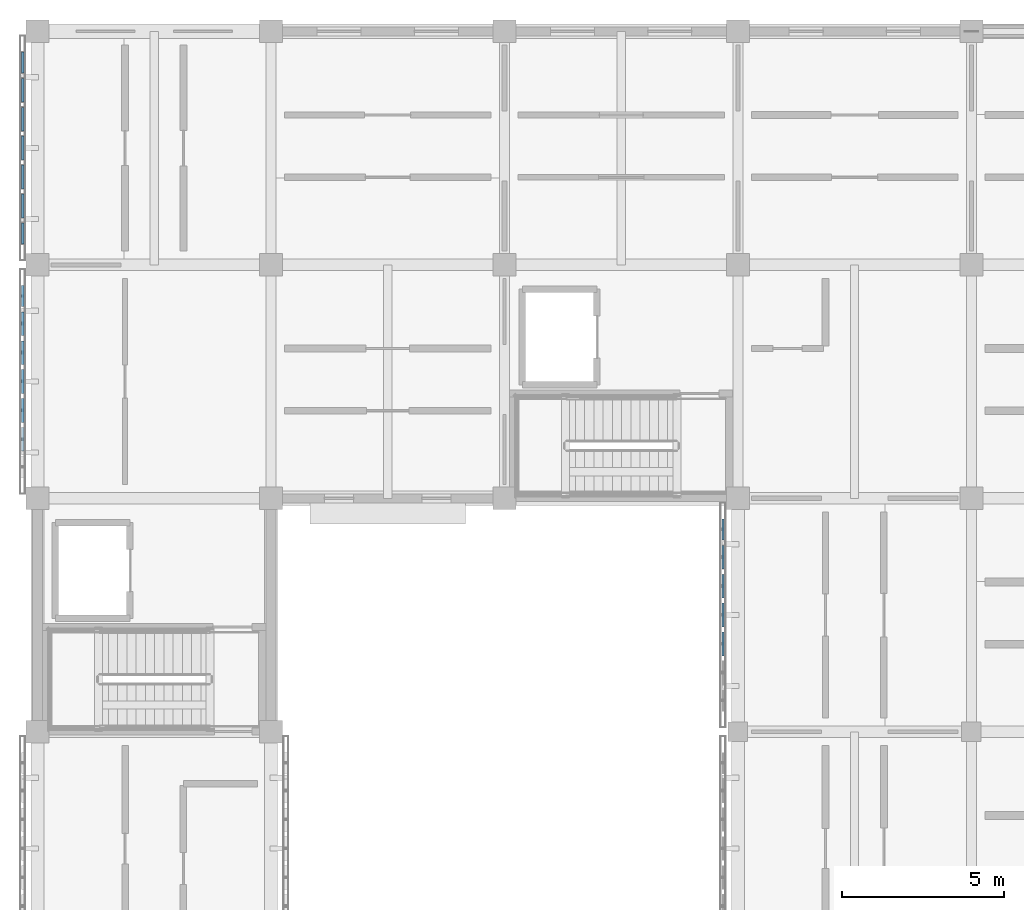
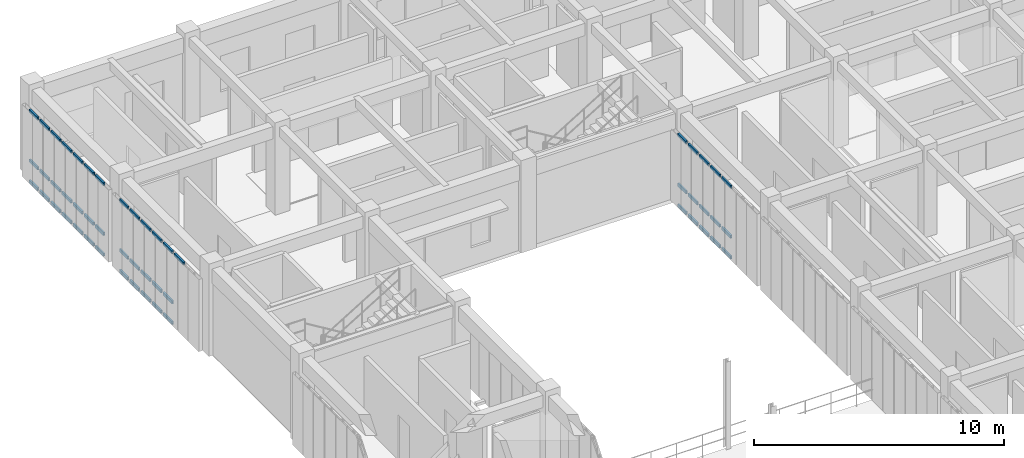
# One storey, part 82 of 171: 52 members, 3 elements without a shape of their own.
"""IFC4 building model written with IfcOpenShell, lengths in metres."""

from ifc_helpers import new_model, si_unit, direction, frame, origin, origin_2d, place, context, subcontext, project, spatial, hollow_rectangle, extrude, material, material_profile, profile_set, type_object, element, aggregate, save


model = new_model("IFC4")

# Units and contexts
model_context = context("Model", 3, precision=1e-05, world=origin(), true_north=direction((0.0, 1.0)))
body_context = subcontext(model_context, "Body", "Model", "MODEL_VIEW")
ifc_project = project(units=[si_unit("LENGTHUNIT", "METRE"), si_unit("AREAUNIT", "SQUARE_METRE"), si_unit("VOLUMEUNIT", "CUBIC_METRE"), si_unit("PLANEANGLEUNIT", "RADIAN"), si_unit("MASSUNIT", "GRAM", prefix="KILO")], contexts=[model_context])

# Site, building, storey
site_placement = place(None, origin())
site = spatial("IfcSite", under=ifc_project, at=site_placement, CompositionType="ELEMENT")
building_placement = place(site_placement, origin())
building = spatial("IfcBuilding", under=site, at=building_placement, Name="Aldebral Square Health Centre", CompositionType="ELEMENT")
storey_placement = place(building_placement, frame((0.0, 0.0, 4.5)))
storey = spatial("IfcBuildingStorey", under=building, at=storey_placement, Name="L01", CompositionType="ELEMENT", Elevation=4.5)

# Curtain wall, members
ifc_material_1 = material(Name="Aluminium and low-E solar glass", Category="aluminium")
curtain_wall_type = type_object("IfcCurtainWallType", Name="CW-FIN-SYS", PredefinedType="USERDEFINED", material=ifc_material_1)
curtain_wall_1_placement = place(storey_placement, origin())
curtain_wall_1 = element("IfcCurtainWall", 1, at=curtain_wall_1_placement, inside=storey, type_object=curtain_wall_type, Name="L01 V4 finned curtain wall L01-V4-00-14-W", ObjectType="SOLAR_CURTAIN_WALL", PredefinedType="USERDEFINED")
ifc_material_2 = material(Name="Anodised aluminium transom", Category="aluminium")
ifc_material_profile = material_profile(ifc_material_2, hollow_rectangle(XDim=0.074951171875, YDim=0.14990234375, WallThickness=0.00390625, at=origin_2d()), Name="CWT 75x150x4")
ifc_profile_set = profile_set([ifc_material_profile], Name="Anodised aluminium transom")
member_type = type_object("IfcMemberType", Name="CWT-STD", PredefinedType="USERDEFINED", material=ifc_profile_set)
member_1_placement = place(storey_placement, frame((-0.4599609375, 107.360107421875, 0.03759765625), z_axis=(0.0, -1.0, 0.0), x_axis=(1.0, 0.0, 0.0)))
member_1 = element("IfcMember", 2, at=member_1_placement, type_object=member_type, Name="CW1 transom 1.1", ObjectType="TRANSOM", PredefinedType="USERDEFINED", context=body_context, shape_type="SweptSolid", body=[
    extrude(hollow_rectangle(XDim=0.074951171875, YDim=0.14990234375, WallThickness=0.00390625, at=origin_2d()), origin(), (0.0, 0.0, 1.0), 0.651611328125),
])
member_2_placement = place(storey_placement, frame((-0.4599609375, 107.360107421875, 1.050048828125), z_axis=(0.0, -1.0, 0.0), x_axis=(1.0, 0.0, 0.0)))
member_2 = element("IfcMember", 3, at=member_2_placement, type_object=member_type, Name="CW1 transom 1.2", ObjectType="TRANSOM", PredefinedType="USERDEFINED", context=body_context, shape_type="SweptSolid", body=[
    extrude(hollow_rectangle(XDim=0.074951171875, YDim=0.14990234375, WallThickness=0.00390625, at=origin_2d()), origin(), (0.0, 0.0, 1.0), 0.651611328125),
])
member_3_placement = place(storey_placement, frame((-0.4599609375, 107.360107421875, 3.482421875), z_axis=(0.0, -1.0, 0.0), x_axis=(1.0, 0.0, 0.0)))
member_3 = element("IfcMember", 4, at=member_3_placement, type_object=member_type, Name="CW1 transom 1.3", ObjectType="TRANSOM", PredefinedType="USERDEFINED", context=body_context, shape_type="SweptSolid", body=[
    extrude(hollow_rectangle(XDim=0.074951171875, YDim=0.14990234375, WallThickness=0.00390625, at=origin_2d()), origin(), (0.0, 0.0, 1.0), 0.651611328125),
])
member_4_placement = place(storey_placement, frame((-0.4599609375, 106.548583984375, 0.03759765625), z_axis=(0.0, -1.0, 0.0), x_axis=(1.0, 0.0, 0.0)))
member_4 = element("IfcMember", 5, at=member_4_placement, type_object=member_type, Name="CW1 transom 2.1", ObjectType="TRANSOM", PredefinedType="USERDEFINED", context=body_context, shape_type="SweptSolid", body=[
    extrude(hollow_rectangle(XDim=0.074951171875, YDim=0.14990234375, WallThickness=0.00390625, at=origin_2d()), origin(), (0.0, 0.0, 1.0), 0.7314453125),
])
member_5_placement = place(storey_placement, frame((-0.4599609375, 106.548583984375, 1.050048828125), z_axis=(0.0, -1.0, 0.0), x_axis=(1.0, 0.0, 0.0)))
member_5 = element("IfcMember", 6, at=member_5_placement, type_object=member_type, Name="CW1 transom 2.2", ObjectType="TRANSOM", PredefinedType="USERDEFINED", context=body_context, shape_type="SweptSolid", body=[
    extrude(hollow_rectangle(XDim=0.074951171875, YDim=0.14990234375, WallThickness=0.00390625, at=origin_2d()), origin(), (0.0, 0.0, 1.0), 0.7314453125),
])
member_6_placement = place(storey_placement, frame((-0.4599609375, 106.548583984375, 3.482421875), z_axis=(0.0, -1.0, 0.0), x_axis=(1.0, 0.0, 0.0)))
member_6 = element("IfcMember", 7, at=member_6_placement, type_object=member_type, Name="CW1 transom 2.3", ObjectType="TRANSOM", PredefinedType="USERDEFINED", context=body_context, shape_type="SweptSolid", body=[
    extrude(hollow_rectangle(XDim=0.074951171875, YDim=0.14990234375, WallThickness=0.00390625, at=origin_2d()), origin(), (0.0, 0.0, 1.0), 0.7314453125),
])
member_7_placement = place(storey_placement, frame((-0.4599609375, 105.6572265625, 0.03759765625), z_axis=(0.0, -1.0, 0.0), x_axis=(1.0, 0.0, 0.0)))
member_7 = element("IfcMember", 8, at=member_7_placement, type_object=member_type, Name="CW1 transom 3.1", ObjectType="TRANSOM", PredefinedType="USERDEFINED", context=body_context, shape_type="SweptSolid", body=[
    extrude(hollow_rectangle(XDim=0.074951171875, YDim=0.14990234375, WallThickness=0.00390625, at=origin_2d()), origin(), (0.0, 0.0, 1.0), 0.7314453125),
])
member_8_placement = place(storey_placement, frame((-0.4599609375, 105.6572265625, 1.050048828125), z_axis=(0.0, -1.0, 0.0), x_axis=(1.0, 0.0, 0.0)))
member_8 = element("IfcMember", 9, at=member_8_placement, type_object=member_type, Name="CW1 transom 3.2", ObjectType="TRANSOM", PredefinedType="USERDEFINED", context=body_context, shape_type="SweptSolid", body=[
    extrude(hollow_rectangle(XDim=0.074951171875, YDim=0.14990234375, WallThickness=0.00390625, at=origin_2d()), origin(), (0.0, 0.0, 1.0), 0.7314453125),
])
member_9_placement = place(storey_placement, frame((-0.4599609375, 105.6572265625, 3.482421875), z_axis=(0.0, -1.0, 0.0), x_axis=(1.0, 0.0, 0.0)))
member_9 = element("IfcMember", 10, at=member_9_placement, type_object=member_type, Name="CW1 transom 3.3", ObjectType="TRANSOM", PredefinedType="USERDEFINED", context=body_context, shape_type="SweptSolid", body=[
    extrude(hollow_rectangle(XDim=0.074951171875, YDim=0.14990234375, WallThickness=0.00390625, at=origin_2d()), origin(), (0.0, 0.0, 1.0), 0.7314453125),
])
member_10_placement = place(storey_placement, frame((-0.4599609375, 104.765625, 0.03759765625), z_axis=(0.0, -1.0, 0.0), x_axis=(1.0, 0.0, 0.0)))
member_10 = element("IfcMember", 11, at=member_10_placement, type_object=member_type, Name="CW1 transom 4.1", ObjectType="TRANSOM", PredefinedType="USERDEFINED", context=body_context, shape_type="SweptSolid", body=[
    extrude(hollow_rectangle(XDim=0.074951171875, YDim=0.14990234375, WallThickness=0.00390625, at=origin_2d()), origin(), (0.0, 0.0, 1.0), 0.7314453125),
])
member_11_placement = place(storey_placement, frame((-0.4599609375, 104.765625, 1.050048828125), z_axis=(0.0, -1.0, 0.0), x_axis=(1.0, 0.0, 0.0)))
member_11 = element("IfcMember", 12, at=member_11_placement, type_object=member_type, Name="CW1 transom 4.2", ObjectType="TRANSOM", PredefinedType="USERDEFINED", context=body_context, shape_type="SweptSolid", body=[
    extrude(hollow_rectangle(XDim=0.074951171875, YDim=0.14990234375, WallThickness=0.00390625, at=origin_2d()), origin(), (0.0, 0.0, 1.0), 0.7314453125),
])
member_12_placement = place(storey_placement, frame((-0.4599609375, 104.765625, 3.482421875), z_axis=(0.0, -1.0, 0.0), x_axis=(1.0, 0.0, 0.0)))
member_12 = element("IfcMember", 13, at=member_12_placement, type_object=member_type, Name="CW1 transom 4.3", ObjectType="TRANSOM", PredefinedType="USERDEFINED", context=body_context, shape_type="SweptSolid", body=[
    extrude(hollow_rectangle(XDim=0.074951171875, YDim=0.14990234375, WallThickness=0.00390625, at=origin_2d()), origin(), (0.0, 0.0, 1.0), 0.7314453125),
])
member_13_placement = place(storey_placement, frame((-0.4599609375, 103.874267578125, 0.03759765625), z_axis=(0.0, -1.0, 0.0), x_axis=(1.0, 0.0, 0.0)))
member_13 = element("IfcMember", 14, at=member_13_placement, type_object=member_type, Name="CW1 transom 5.1", ObjectType="TRANSOM", PredefinedType="USERDEFINED", context=body_context, shape_type="SweptSolid", body=[
    extrude(hollow_rectangle(XDim=0.074951171875, YDim=0.14990234375, WallThickness=0.00390625, at=origin_2d()), origin(), (0.0, 0.0, 1.0), 0.7314453125),
])
member_14_placement = place(storey_placement, frame((-0.4599609375, 103.874267578125, 1.050048828125), z_axis=(0.0, -1.0, 0.0), x_axis=(1.0, 0.0, 0.0)))
member_14 = element("IfcMember", 15, at=member_14_placement, type_object=member_type, Name="CW1 transom 5.2", ObjectType="TRANSOM", PredefinedType="USERDEFINED", context=body_context, shape_type="SweptSolid", body=[
    extrude(hollow_rectangle(XDim=0.074951171875, YDim=0.14990234375, WallThickness=0.00390625, at=origin_2d()), origin(), (0.0, 0.0, 1.0), 0.7314453125),
])
member_15_placement = place(storey_placement, frame((-0.4599609375, 103.874267578125, 3.482421875), z_axis=(0.0, -1.0, 0.0), x_axis=(1.0, 0.0, 0.0)))
member_15 = element("IfcMember", 16, at=member_15_placement, type_object=member_type, Name="CW1 transom 5.3", ObjectType="TRANSOM", PredefinedType="USERDEFINED", context=body_context, shape_type="SweptSolid", body=[
    extrude(hollow_rectangle(XDim=0.074951171875, YDim=0.14990234375, WallThickness=0.00390625, at=origin_2d()), origin(), (0.0, 0.0, 1.0), 0.7314453125),
])
member_16_placement = place(storey_placement, frame((-0.4599609375, 102.98291015625, 3.482421875), z_axis=(0.0, -1.0, 0.0), x_axis=(1.0, 0.0, 0.0)))
member_16 = element("IfcMember", 17, at=member_16_placement, type_object=member_type, Name="CW1 transom 6.3", ObjectType="TRANSOM", PredefinedType="USERDEFINED", context=body_context, shape_type="SweptSolid", body=[
    extrude(hollow_rectangle(XDim=0.074951171875, YDim=0.14990234375, WallThickness=0.00390625, at=origin_2d()), origin(), (0.0, 0.0, 1.0), 0.7314453125),
])
aggregate(curtain_wall_1, [member_1, member_2, member_3, member_4, member_5, member_6, member_7, member_8, member_9, member_10, member_11, member_12, member_13, member_14, member_15, member_16])

curtain_wall_2_placement = place(storey_placement, origin())
curtain_wall_2 = element("IfcCurtainWall", 18, at=curtain_wall_2_placement, inside=storey, type_object=curtain_wall_type, Name="L01 V4 finned curtain wall L01-V4-00-15-W", ObjectType="SOLAR_CURTAIN_WALL", PredefinedType="USERDEFINED")
member_17_placement = place(storey_placement, frame((-0.4599609375, 114.56005859375, 0.03759765625), z_axis=(0.0, -1.0, 0.0), x_axis=(1.0, 0.0, 0.0)))
member_17 = element("IfcMember", 19, at=member_17_placement, type_object=member_type, Name="CW1 transom 1.1", ObjectType="TRANSOM", PredefinedType="USERDEFINED", context=body_context, shape_type="SweptSolid", body=[
    extrude(hollow_rectangle(XDim=0.074951171875, YDim=0.14990234375, WallThickness=0.00390625, at=origin_2d()), origin(), (0.0, 0.0, 1.0), 0.6513671875),
])
member_18_placement = place(storey_placement, frame((-0.4599609375, 114.56005859375, 1.050048828125), z_axis=(0.0, -1.0, 0.0), x_axis=(1.0, 0.0, 0.0)))
member_18 = element("IfcMember", 20, at=member_18_placement, type_object=member_type, Name="CW1 transom 1.2", ObjectType="TRANSOM", PredefinedType="USERDEFINED", context=body_context, shape_type="SweptSolid", body=[
    extrude(hollow_rectangle(XDim=0.074951171875, YDim=0.14990234375, WallThickness=0.00390625, at=origin_2d()), origin(), (0.0, 0.0, 1.0), 0.6513671875),
])
member_19_placement = place(storey_placement, frame((-0.4599609375, 114.56005859375, 3.482421875), z_axis=(0.0, -1.0, 0.0), x_axis=(1.0, 0.0, 0.0)))
member_19 = element("IfcMember", 21, at=member_19_placement, type_object=member_type, Name="CW1 transom 1.3", ObjectType="TRANSOM", PredefinedType="USERDEFINED", context=body_context, shape_type="SweptSolid", body=[
    extrude(hollow_rectangle(XDim=0.074951171875, YDim=0.14990234375, WallThickness=0.00390625, at=origin_2d()), origin(), (0.0, 0.0, 1.0), 0.6513671875),
])
member_20_placement = place(storey_placement, frame((-0.4599609375, 113.74853515625, 0.03759765625), z_axis=(0.0, -1.0, 0.0), x_axis=(1.0, 0.0, 0.0)))
member_20 = element("IfcMember", 22, at=member_20_placement, type_object=member_type, Name="CW1 transom 2.1", ObjectType="TRANSOM", PredefinedType="USERDEFINED", context=body_context, shape_type="SweptSolid", body=[
    extrude(hollow_rectangle(XDim=0.074951171875, YDim=0.14990234375, WallThickness=0.00390625, at=origin_2d()), origin(), (0.0, 0.0, 1.0), 0.7314453125),
])
member_21_placement = place(storey_placement, frame((-0.4599609375, 113.74853515625, 1.050048828125), z_axis=(0.0, -1.0, 0.0), x_axis=(1.0, 0.0, 0.0)))
member_21 = element("IfcMember", 23, at=member_21_placement, type_object=member_type, Name="CW1 transom 2.2", ObjectType="TRANSOM", PredefinedType="USERDEFINED", context=body_context, shape_type="SweptSolid", body=[
    extrude(hollow_rectangle(XDim=0.074951171875, YDim=0.14990234375, WallThickness=0.00390625, at=origin_2d()), origin(), (0.0, 0.0, 1.0), 0.7314453125),
])
member_22_placement = place(storey_placement, frame((-0.4599609375, 113.74853515625, 3.482421875), z_axis=(0.0, -1.0, 0.0), x_axis=(1.0, 0.0, 0.0)))
member_22 = element("IfcMember", 24, at=member_22_placement, type_object=member_type, Name="CW1 transom 2.3", ObjectType="TRANSOM", PredefinedType="USERDEFINED", context=body_context, shape_type="SweptSolid", body=[
    extrude(hollow_rectangle(XDim=0.074951171875, YDim=0.14990234375, WallThickness=0.00390625, at=origin_2d()), origin(), (0.0, 0.0, 1.0), 0.7314453125),
])
member_23_placement = place(storey_placement, frame((-0.4599609375, 112.857177734375, 0.03759765625), z_axis=(0.0, -1.0, 0.0), x_axis=(1.0, 0.0, 0.0)))
member_23 = element("IfcMember", 25, at=member_23_placement, type_object=member_type, Name="CW1 transom 3.1", ObjectType="TRANSOM", PredefinedType="USERDEFINED", context=body_context, shape_type="SweptSolid", body=[
    extrude(hollow_rectangle(XDim=0.074951171875, YDim=0.14990234375, WallThickness=0.00390625, at=origin_2d()), origin(), (0.0, 0.0, 1.0), 0.7314453125),
])
member_24_placement = place(storey_placement, frame((-0.4599609375, 112.857177734375, 1.050048828125), z_axis=(0.0, -1.0, 0.0), x_axis=(1.0, 0.0, 0.0)))
member_24 = element("IfcMember", 26, at=member_24_placement, type_object=member_type, Name="CW1 transom 3.2", ObjectType="TRANSOM", PredefinedType="USERDEFINED", context=body_context, shape_type="SweptSolid", body=[
    extrude(hollow_rectangle(XDim=0.074951171875, YDim=0.14990234375, WallThickness=0.00390625, at=origin_2d()), origin(), (0.0, 0.0, 1.0), 0.7314453125),
])
member_25_placement = place(storey_placement, frame((-0.4599609375, 112.857177734375, 3.482421875), z_axis=(0.0, -1.0, 0.0), x_axis=(1.0, 0.0, 0.0)))
member_25 = element("IfcMember", 27, at=member_25_placement, type_object=member_type, Name="CW1 transom 3.3", ObjectType="TRANSOM", PredefinedType="USERDEFINED", context=body_context, shape_type="SweptSolid", body=[
    extrude(hollow_rectangle(XDim=0.074951171875, YDim=0.14990234375, WallThickness=0.00390625, at=origin_2d()), origin(), (0.0, 0.0, 1.0), 0.7314453125),
])
member_26_placement = place(storey_placement, frame((-0.4599609375, 111.9658203125, 0.03759765625), z_axis=(0.0, -1.0, 0.0), x_axis=(1.0, 0.0, 0.0)))
member_26 = element("IfcMember", 28, at=member_26_placement, type_object=member_type, Name="CW1 transom 4.1", ObjectType="TRANSOM", PredefinedType="USERDEFINED", context=body_context, shape_type="SweptSolid", body=[
    extrude(hollow_rectangle(XDim=0.074951171875, YDim=0.14990234375, WallThickness=0.00390625, at=origin_2d()), origin(), (0.0, 0.0, 1.0), 0.7314453125),
])
member_27_placement = place(storey_placement, frame((-0.4599609375, 111.9658203125, 1.050048828125), z_axis=(0.0, -1.0, 0.0), x_axis=(1.0, 0.0, 0.0)))
member_27 = element("IfcMember", 29, at=member_27_placement, type_object=member_type, Name="CW1 transom 4.2", ObjectType="TRANSOM", PredefinedType="USERDEFINED", context=body_context, shape_type="SweptSolid", body=[
    extrude(hollow_rectangle(XDim=0.074951171875, YDim=0.14990234375, WallThickness=0.00390625, at=origin_2d()), origin(), (0.0, 0.0, 1.0), 0.7314453125),
])
member_28_placement = place(storey_placement, frame((-0.4599609375, 111.9658203125, 3.482421875), z_axis=(0.0, -1.0, 0.0), x_axis=(1.0, 0.0, 0.0)))
member_28 = element("IfcMember", 30, at=member_28_placement, type_object=member_type, Name="CW1 transom 4.3", ObjectType="TRANSOM", PredefinedType="USERDEFINED", context=body_context, shape_type="SweptSolid", body=[
    extrude(hollow_rectangle(XDim=0.074951171875, YDim=0.14990234375, WallThickness=0.00390625, at=origin_2d()), origin(), (0.0, 0.0, 1.0), 0.7314453125),
])
member_29_placement = place(storey_placement, frame((-0.4599609375, 111.07421875, 0.03759765625), z_axis=(0.0, -1.0, 0.0), x_axis=(1.0, 0.0, 0.0)))
member_29 = element("IfcMember", 31, at=member_29_placement, type_object=member_type, Name="CW1 transom 5.1", ObjectType="TRANSOM", PredefinedType="USERDEFINED", context=body_context, shape_type="SweptSolid", body=[
    extrude(hollow_rectangle(XDim=0.074951171875, YDim=0.14990234375, WallThickness=0.00390625, at=origin_2d()), origin(), (0.0, 0.0, 1.0), 0.7314453125),
])
member_30_placement = place(storey_placement, frame((-0.4599609375, 111.07421875, 1.050048828125), z_axis=(0.0, -1.0, 0.0), x_axis=(1.0, 0.0, 0.0)))
member_30 = element("IfcMember", 32, at=member_30_placement, type_object=member_type, Name="CW1 transom 5.2", ObjectType="TRANSOM", PredefinedType="USERDEFINED", context=body_context, shape_type="SweptSolid", body=[
    extrude(hollow_rectangle(XDim=0.074951171875, YDim=0.14990234375, WallThickness=0.00390625, at=origin_2d()), origin(), (0.0, 0.0, 1.0), 0.7314453125),
])
member_31_placement = place(storey_placement, frame((-0.4599609375, 111.07421875, 3.482421875), z_axis=(0.0, -1.0, 0.0), x_axis=(1.0, 0.0, 0.0)))
member_31 = element("IfcMember", 33, at=member_31_placement, type_object=member_type, Name="CW1 transom 5.3", ObjectType="TRANSOM", PredefinedType="USERDEFINED", context=body_context, shape_type="SweptSolid", body=[
    extrude(hollow_rectangle(XDim=0.074951171875, YDim=0.14990234375, WallThickness=0.00390625, at=origin_2d()), origin(), (0.0, 0.0, 1.0), 0.7314453125),
])
member_32_placement = place(storey_placement, frame((-0.4599609375, 110.182861328125, 0.03759765625), z_axis=(0.0, -1.0, 0.0), x_axis=(1.0, 0.0, 0.0)))
member_32 = element("IfcMember", 34, at=member_32_placement, type_object=member_type, Name="CW1 transom 6.1", ObjectType="TRANSOM", PredefinedType="USERDEFINED", context=body_context, shape_type="SweptSolid", body=[
    extrude(hollow_rectangle(XDim=0.074951171875, YDim=0.14990234375, WallThickness=0.00390625, at=origin_2d()), origin(), (0.0, 0.0, 1.0), 0.7314453125),
])
member_33_placement = place(storey_placement, frame((-0.4599609375, 110.182861328125, 1.050048828125), z_axis=(0.0, -1.0, 0.0), x_axis=(1.0, 0.0, 0.0)))
member_33 = element("IfcMember", 35, at=member_33_placement, type_object=member_type, Name="CW1 transom 6.2", ObjectType="TRANSOM", PredefinedType="USERDEFINED", context=body_context, shape_type="SweptSolid", body=[
    extrude(hollow_rectangle(XDim=0.074951171875, YDim=0.14990234375, WallThickness=0.00390625, at=origin_2d()), origin(), (0.0, 0.0, 1.0), 0.7314453125),
])
member_34_placement = place(storey_placement, frame((-0.4599609375, 110.182861328125, 3.482421875), z_axis=(0.0, -1.0, 0.0), x_axis=(1.0, 0.0, 0.0)))
member_34 = element("IfcMember", 36, at=member_34_placement, type_object=member_type, Name="CW1 transom 6.3", ObjectType="TRANSOM", PredefinedType="USERDEFINED", context=body_context, shape_type="SweptSolid", body=[
    extrude(hollow_rectangle(XDim=0.074951171875, YDim=0.14990234375, WallThickness=0.00390625, at=origin_2d()), origin(), (0.0, 0.0, 1.0), 0.7314453125),
])
member_35_placement = place(storey_placement, frame((-0.4599609375, 109.29150390625, 0.03759765625), z_axis=(0.0, -1.0, 0.0), x_axis=(1.0, 0.0, 0.0)))
member_35 = element("IfcMember", 37, at=member_35_placement, type_object=member_type, Name="CW1 transom 7.1", ObjectType="TRANSOM", PredefinedType="USERDEFINED", context=body_context, shape_type="SweptSolid", body=[
    extrude(hollow_rectangle(XDim=0.074951171875, YDim=0.14990234375, WallThickness=0.00390625, at=origin_2d()), origin(), (0.0, 0.0, 1.0), 0.651611328125),
])
member_36_placement = place(storey_placement, frame((-0.4599609375, 109.29150390625, 1.050048828125), z_axis=(0.0, -1.0, 0.0), x_axis=(1.0, 0.0, 0.0)))
member_36 = element("IfcMember", 38, at=member_36_placement, type_object=member_type, Name="CW1 transom 7.2", ObjectType="TRANSOM", PredefinedType="USERDEFINED", context=body_context, shape_type="SweptSolid", body=[
    extrude(hollow_rectangle(XDim=0.074951171875, YDim=0.14990234375, WallThickness=0.00390625, at=origin_2d()), origin(), (0.0, 0.0, 1.0), 0.651611328125),
])
member_37_placement = place(storey_placement, frame((-0.4599609375, 109.29150390625, 3.482421875), z_axis=(0.0, -1.0, 0.0), x_axis=(1.0, 0.0, 0.0)))
member_37 = element("IfcMember", 39, at=member_37_placement, type_object=member_type, Name="CW1 transom 7.3", ObjectType="TRANSOM", PredefinedType="USERDEFINED", context=body_context, shape_type="SweptSolid", body=[
    extrude(hollow_rectangle(XDim=0.074951171875, YDim=0.14990234375, WallThickness=0.00390625, at=origin_2d()), origin(), (0.0, 0.0, 1.0), 0.651611328125),
])
aggregate(curtain_wall_2, [member_17, member_18, member_19, member_20, member_21, member_22, member_23, member_24, member_25, member_26, member_27, member_28, member_29, member_30, member_31, member_32, member_33, member_34, member_35, member_36, member_37])

curtain_wall_3_placement = place(storey_placement, origin())
curtain_wall_3 = element("IfcCurtainWall", 40, at=curtain_wall_3_placement, inside=storey, type_object=curtain_wall_type, Name="L01 V4 finned curtain wall L01-V4-03-13-W", ObjectType="SOLAR_CURTAIN_WALL", PredefinedType="USERDEFINED")
member_38_placement = place(storey_placement, frame((21.139892578125, 100.159912109375, 0.03759765625), z_axis=(0.0, -1.0, 0.0), x_axis=(1.0, 0.0, 0.0)))
member_38 = element("IfcMember", 41, at=member_38_placement, type_object=member_type, Name="CW1 transom 1.1", ObjectType="TRANSOM", PredefinedType="USERDEFINED", context=body_context, shape_type="SweptSolid", body=[
    extrude(hollow_rectangle(XDim=0.074951171875, YDim=0.14990234375, WallThickness=0.00390625, at=origin_2d()), origin(), (0.0, 0.0, 1.0), 0.6513671875),
])
member_39_placement = place(storey_placement, frame((21.139892578125, 100.159912109375, 1.050048828125), z_axis=(0.0, -1.0, 0.0), x_axis=(1.0, 0.0, 0.0)))
member_39 = element("IfcMember", 42, at=member_39_placement, type_object=member_type, Name="CW1 transom 1.2", ObjectType="TRANSOM", PredefinedType="USERDEFINED", context=body_context, shape_type="SweptSolid", body=[
    extrude(hollow_rectangle(XDim=0.074951171875, YDim=0.14990234375, WallThickness=0.00390625, at=origin_2d()), origin(), (0.0, 0.0, 1.0), 0.6513671875),
])
member_40_placement = place(storey_placement, frame((21.139892578125, 100.159912109375, 3.482421875), z_axis=(0.0, -1.0, 0.0), x_axis=(1.0, 0.0, 0.0)))
member_40 = element("IfcMember", 43, at=member_40_placement, type_object=member_type, Name="CW1 transom 1.3", ObjectType="TRANSOM", PredefinedType="USERDEFINED", context=body_context, shape_type="SweptSolid", body=[
    extrude(hollow_rectangle(XDim=0.074951171875, YDim=0.14990234375, WallThickness=0.00390625, at=origin_2d()), origin(), (0.0, 0.0, 1.0), 0.6513671875),
])
member_41_placement = place(storey_placement, frame((21.139892578125, 99.3486328125, 0.03759765625), z_axis=(0.0, -1.0, 0.0), x_axis=(1.0, 0.0, 0.0)))
member_41 = element("IfcMember", 44, at=member_41_placement, type_object=member_type, Name="CW1 transom 2.1", ObjectType="TRANSOM", PredefinedType="USERDEFINED", context=body_context, shape_type="SweptSolid", body=[
    extrude(hollow_rectangle(XDim=0.074951171875, YDim=0.14990234375, WallThickness=0.00390625, at=origin_2d()), origin(), (0.0, 0.0, 1.0), 0.7314453125),
])
member_42_placement = place(storey_placement, frame((21.139892578125, 99.3486328125, 1.050048828125), z_axis=(0.0, -1.0, 0.0), x_axis=(1.0, 0.0, 0.0)))
member_42 = element("IfcMember", 45, at=member_42_placement, type_object=member_type, Name="CW1 transom 2.2", ObjectType="TRANSOM", PredefinedType="USERDEFINED", context=body_context, shape_type="SweptSolid", body=[
    extrude(hollow_rectangle(XDim=0.074951171875, YDim=0.14990234375, WallThickness=0.00390625, at=origin_2d()), origin(), (0.0, 0.0, 1.0), 0.7314453125),
])
member_43_placement = place(storey_placement, frame((21.139892578125, 99.3486328125, 3.482421875), z_axis=(0.0, -1.0, 0.0), x_axis=(1.0, 0.0, 0.0)))
member_43 = element("IfcMember", 46, at=member_43_placement, type_object=member_type, Name="CW1 transom 2.3", ObjectType="TRANSOM", PredefinedType="USERDEFINED", context=body_context, shape_type="SweptSolid", body=[
    extrude(hollow_rectangle(XDim=0.074951171875, YDim=0.14990234375, WallThickness=0.00390625, at=origin_2d()), origin(), (0.0, 0.0, 1.0), 0.7314453125),
])
member_44_placement = place(storey_placement, frame((21.139892578125, 98.45703125, 0.03759765625), z_axis=(0.0, -1.0, 0.0), x_axis=(1.0, 0.0, 0.0)))
member_44 = element("IfcMember", 47, at=member_44_placement, type_object=member_type, Name="CW1 transom 3.1", ObjectType="TRANSOM", PredefinedType="USERDEFINED", context=body_context, shape_type="SweptSolid", body=[
    extrude(hollow_rectangle(XDim=0.074951171875, YDim=0.14990234375, WallThickness=0.00390625, at=origin_2d()), origin(), (0.0, 0.0, 1.0), 0.731201171875),
])
member_45_placement = place(storey_placement, frame((21.139892578125, 98.45703125, 1.050048828125), z_axis=(0.0, -1.0, 0.0), x_axis=(1.0, 0.0, 0.0)))
member_45 = element("IfcMember", 48, at=member_45_placement, type_object=member_type, Name="CW1 transom 3.2", ObjectType="TRANSOM", PredefinedType="USERDEFINED", context=body_context, shape_type="SweptSolid", body=[
    extrude(hollow_rectangle(XDim=0.074951171875, YDim=0.14990234375, WallThickness=0.00390625, at=origin_2d()), origin(), (0.0, 0.0, 1.0), 0.731201171875),
])
member_46_placement = place(storey_placement, frame((21.139892578125, 98.45703125, 3.482421875), z_axis=(0.0, -1.0, 0.0), x_axis=(1.0, 0.0, 0.0)))
member_46 = element("IfcMember", 49, at=member_46_placement, type_object=member_type, Name="CW1 transom 3.3", ObjectType="TRANSOM", PredefinedType="USERDEFINED", context=body_context, shape_type="SweptSolid", body=[
    extrude(hollow_rectangle(XDim=0.074951171875, YDim=0.14990234375, WallThickness=0.00390625, at=origin_2d()), origin(), (0.0, 0.0, 1.0), 0.731201171875),
])
member_47_placement = place(storey_placement, frame((21.139892578125, 97.565673828125, 0.03759765625), z_axis=(0.0, -1.0, 0.0), x_axis=(1.0, 0.0, 0.0)))
member_47 = element("IfcMember", 50, at=member_47_placement, type_object=member_type, Name="CW1 transom 4.1", ObjectType="TRANSOM", PredefinedType="USERDEFINED", context=body_context, shape_type="SweptSolid", body=[
    extrude(hollow_rectangle(XDim=0.074951171875, YDim=0.14990234375, WallThickness=0.00390625, at=origin_2d()), origin(), (0.0, 0.0, 1.0), 0.7314453125),
])
member_48_placement = place(storey_placement, frame((21.139892578125, 97.565673828125, 1.050048828125), z_axis=(0.0, -1.0, 0.0), x_axis=(1.0, 0.0, 0.0)))
member_48 = element("IfcMember", 51, at=member_48_placement, type_object=member_type, Name="CW1 transom 4.2", ObjectType="TRANSOM", PredefinedType="USERDEFINED", context=body_context, shape_type="SweptSolid", body=[
    extrude(hollow_rectangle(XDim=0.074951171875, YDim=0.14990234375, WallThickness=0.00390625, at=origin_2d()), origin(), (0.0, 0.0, 1.0), 0.7314453125),
])
member_49_placement = place(storey_placement, frame((21.139892578125, 97.565673828125, 3.482421875), z_axis=(0.0, -1.0, 0.0), x_axis=(1.0, 0.0, 0.0)))
member_49 = element("IfcMember", 52, at=member_49_placement, type_object=member_type, Name="CW1 transom 4.3", ObjectType="TRANSOM", PredefinedType="USERDEFINED", context=body_context, shape_type="SweptSolid", body=[
    extrude(hollow_rectangle(XDim=0.074951171875, YDim=0.14990234375, WallThickness=0.00390625, at=origin_2d()), origin(), (0.0, 0.0, 1.0), 0.7314453125),
])
member_50_placement = place(storey_placement, frame((21.139892578125, 96.67431640625, 0.03759765625), z_axis=(0.0, -1.0, 0.0), x_axis=(1.0, 0.0, 0.0)))
member_50 = element("IfcMember", 53, at=member_50_placement, type_object=member_type, Name="CW1 transom 5.1", ObjectType="TRANSOM", PredefinedType="USERDEFINED", context=body_context, shape_type="SweptSolid", body=[
    extrude(hollow_rectangle(XDim=0.074951171875, YDim=0.14990234375, WallThickness=0.00390625, at=origin_2d()), origin(), (0.0, 0.0, 1.0), 0.7314453125),
])
member_51_placement = place(storey_placement, frame((21.139892578125, 96.67431640625, 1.050048828125), z_axis=(0.0, -1.0, 0.0), x_axis=(1.0, 0.0, 0.0)))
member_51 = element("IfcMember", 54, at=member_51_placement, type_object=member_type, Name="CW1 transom 5.2", ObjectType="TRANSOM", PredefinedType="USERDEFINED", context=body_context, shape_type="SweptSolid", body=[
    extrude(hollow_rectangle(XDim=0.074951171875, YDim=0.14990234375, WallThickness=0.00390625, at=origin_2d()), origin(), (0.0, 0.0, 1.0), 0.7314453125),
])
member_52_placement = place(storey_placement, frame((21.139892578125, 96.67431640625, 3.482421875), z_axis=(0.0, -1.0, 0.0), x_axis=(1.0, 0.0, 0.0)))
member_52 = element("IfcMember", 55, at=member_52_placement, type_object=member_type, Name="CW1 transom 5.3", ObjectType="TRANSOM", PredefinedType="USERDEFINED", context=body_context, shape_type="SweptSolid", body=[
    extrude(hollow_rectangle(XDim=0.074951171875, YDim=0.14990234375, WallThickness=0.00390625, at=origin_2d()), origin(), (0.0, 0.0, 1.0), 0.7314453125),
])
aggregate(curtain_wall_3, [member_38, member_39, member_40, member_41, member_42, member_43, member_44, member_45, member_46, member_47, member_48, member_49, member_50, member_51, member_52])

save(model, "model.ifc")
